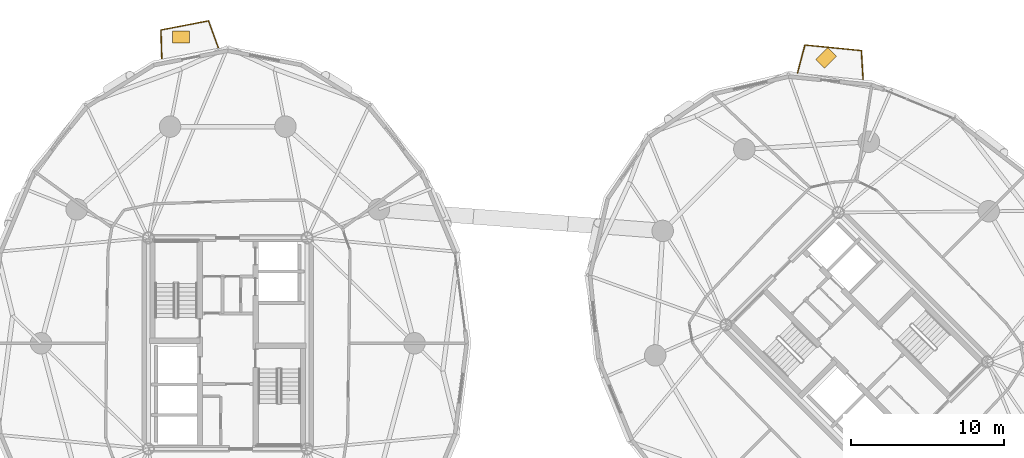
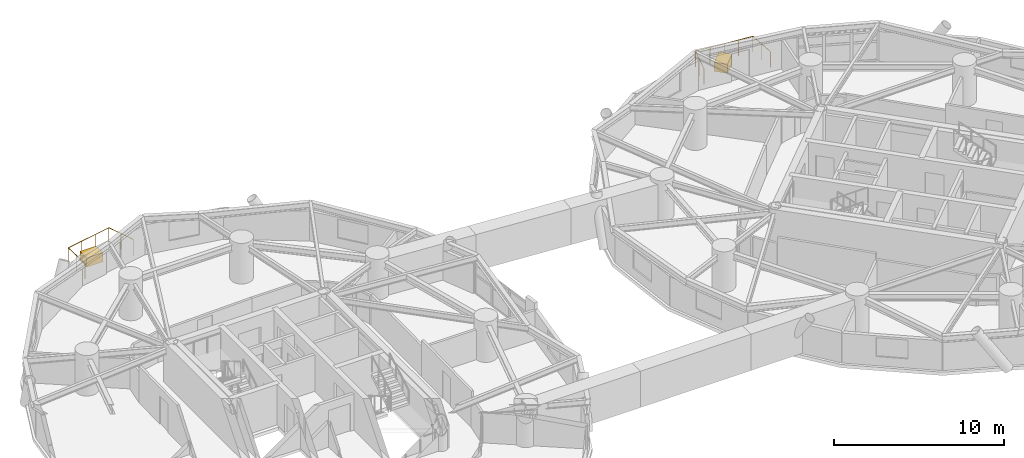
# One storey, part 18 of 18: 2 coverings, 2 railings.
"""IFC4 building model written with IfcOpenShell, lengths in metres."""

import ifcopenshell
import ifcopenshell.guid

model = None  # the IFC model being written
_history = None  # IfcOwnerHistory: only IFC2X3 demands one
_inside = {}  # id of a spatial element -> (the spatial element, [elements in it])
_under = {}  # id of a project, library or spatial element -> (it, [spatial elements below it])
_declared = {}  # id of a project -> (the project, [libraries it declares])
_typed = {}  # id of a type object -> (the type object, [elements of that type])
_made_of = {}  # id of a material, layer set ... -> (it, [elements and type objects made of it])


def new_model(schema):
    """Start an empty IFC model of exactly this schema.

    Asked for "IFC4X3", IfcOpenShell would pick the latest addendum, in which some entities
    have other attributes; the version numbers below select the first issue.
    IFC2X3 requires an IfcOwnerHistory on every rooted entity: one is made here for all.
    """
    global model, _history
    if schema == "IFC4X3":
        model = ifcopenshell.file(schema_version=(4, 3, 0, 0))
    else:
        model = ifcopenshell.file(schema=schema)
    _inside.clear()
    _under.clear()
    _declared.clear()
    _typed.clear()
    _made_of.clear()
    _history = None
    if model.schema == "IFC2X3":
        org = make("IfcOrganization", Name="unknown")
        user = make(
            "IfcPersonAndOrganization",
            ThePerson=make("IfcPerson", FamilyName="unknown"),
            TheOrganization=org,
        )
        app = make(
            "IfcApplication",
            ApplicationDeveloper=org,
            Version="unknown",
            ApplicationFullName="unknown",
            ApplicationIdentifier="unknown",
        )
        _history = make(
            "IfcOwnerHistory",
            OwningUser=user,
            OwningApplication=app,
            ChangeAction="ADDED",
            CreationDate=0,
        )
    return model


def make(cls, **values):
    """One entity of the class cls with the attributes given. An attribute that is None is left unset."""
    return model.create_entity(
        cls, **{name: value for name, value in values.items() if value is not None}
    )


def rooted(cls, **values):
    """An entity with a GlobalId (a new one), such as an element, a storey or a relation."""
    return make(cls, GlobalId=ifcopenshell.guid.new(), OwnerHistory=_history, **values)


def si_unit(unit_type, name, prefix=None):
    """IfcSIUnit, for example si_unit("LENGTHUNIT", "METRE", prefix="MILLI")."""
    return make("IfcSIUnit", UnitType=unit_type, Prefix=prefix, Name=name)


def assignment(units):
    """IfcUnitAssignment: the units of a project."""
    return None if units is None else make("IfcUnitAssignment", Units=units)


def point(xyz):
    """IfcCartesianPoint."""
    return None if xyz is None else make("IfcCartesianPoint", Coordinates=xyz)


def direction(xyz):
    """IfcDirection."""
    return None if xyz is None else make("IfcDirection", DirectionRatios=xyz)


def frame(location, z_axis=None, x_axis=None):
    """IfcAxis2Placement3D, a coordinate frame: its origin and axes. An axis left out is left unset."""
    return make(
        "IfcAxis2Placement3D",
        Location=point(location),
        Axis=direction(z_axis),
        RefDirection=direction(x_axis),
    )


def frame_2d(location, x_axis=None):
    """IfcAxis2Placement2D, a coordinate frame in the plane: its origin and x axis."""
    return make(
        "IfcAxis2Placement2D", Location=point(location), RefDirection=direction(x_axis)
    )


def origin():
    """The frame at (0, 0, 0) with its axes left unset."""
    return frame((0.0, 0.0, 0.0))


def origin_2d():
    """The frame at (0, 0) in the plane with its x axis left unset."""
    return frame_2d((0.0, 0.0))


def place(relative_to, where):
    """IfcLocalPlacement: puts the frame where relative to a parent placement (None: the world)."""
    return make(
        "IfcLocalPlacement", PlacementRelTo=relative_to, RelativePlacement=where
    )


def context(
    kind, dimensions, precision=None, world=None, true_north=None, identifier=None
):
    """IfcGeometricRepresentationContext, for example the 3D "Model" context."""
    return make(
        "IfcGeometricRepresentationContext",
        ContextIdentifier=identifier,
        ContextType=kind,
        CoordinateSpaceDimension=dimensions,
        Precision=precision,
        WorldCoordinateSystem=world,
        TrueNorth=true_north,
    )


def subcontext(parent, identifier, kind, view, scale=None):
    """IfcGeometricRepresentationSubContext, for example "Body" below "Model"."""
    return make(
        "IfcGeometricRepresentationSubContext",
        ContextIdentifier=identifier,
        ContextType=kind,
        ParentContext=parent,
        TargetScale=scale,
        TargetView=view,
    )


def project(units=None, contexts=None):
    """IfcProject with its units and contexts."""
    return rooted(
        "IfcProject",
        Name="project",
        RepresentationContexts=contexts,
        UnitsInContext=assignment(units),
    )


def spatial(cls, under=None, at=None, **own):
    """A site, building, storey or space (cls), placed at a placement, below another one or the project."""
    s = rooted(cls, ObjectPlacement=at, **own)
    if under is not None:
        _under.setdefault(under.id(), (under, []))[1].append(s)
    return s


def profile(cls, at=None, kind="AREA", **sizes):
    """A parametric profile (cls). Its sizes go by their IFC names, for example OverallWidth=200.0."""
    return make(cls, ProfileType=kind, Position=at, **sizes)


def rectangle(**sizes):
    """IfcRectangleProfileDef."""
    return profile("IfcRectangleProfileDef", **sizes)


def circle(**sizes):
    """IfcCircleProfileDef."""
    return profile("IfcCircleProfileDef", **sizes)


def extrude(swept, where, along, depth):
    """IfcExtrudedAreaSolid: the profile swept, set in the frame where, extruded along a direction by depth."""
    return make(
        "IfcExtrudedAreaSolid",
        SweptArea=swept,
        Position=where,
        ExtrudedDirection=direction(along),
        Depth=depth,
    )


def shape(context_of_items, identifier, shape_type, items):
    """IfcShapeRepresentation: the items that make up one representation, for example the "Body"."""
    return make(
        "IfcShapeRepresentation",
        ContextOfItems=context_of_items,
        RepresentationIdentifier=identifier,
        RepresentationType=shape_type,
        Items=items,
    )


def source(mapping_origin, context_of_items, identifier, shape_type, items):
    """IfcRepresentationMap: a shape defined once, which mapped items show again and again."""
    return make(
        "IfcRepresentationMap",
        MappingOrigin=mapping_origin,
        MappedRepresentation=shape(context_of_items, identifier, shape_type, items),
    )


def transform(
    local_origin,
    x_axis=None,
    y_axis=None,
    z_axis=None,
    scale=None,
    scale2=None,
    scale3=None,
    uniform=True,
):
    """IfcCartesianTransformationOperator3D, or its non-uniform kind. x_axis, y_axis, z_axis: its Axis1, 2, 3."""
    if uniform:
        return make(
            "IfcCartesianTransformationOperator3D",
            Axis1=direction(x_axis),
            Axis2=direction(y_axis),
            LocalOrigin=point(local_origin),
            Scale=scale,
            Axis3=direction(z_axis),
        )
    return make(
        "IfcCartesianTransformationOperator3DnonUniform",
        Axis1=direction(x_axis),
        Axis2=direction(y_axis),
        LocalOrigin=point(local_origin),
        Scale=scale,
        Axis3=direction(z_axis),
        Scale2=scale2,
        Scale3=scale3,
    )


def mapped(mapping_source, mapping_target):
    """IfcMappedItem: shows the shape of a source again, moved by a transform."""
    return make(
        "IfcMappedItem", MappingSource=mapping_source, MappingTarget=mapping_target
    )


def material(Name=None, Category=None):
    """IfcMaterial."""
    return make("IfcMaterial", Name=Name, Category=Category)


def layer(
    of_material, thickness, ventilated=None, Name=None, Category=None, Priority=None
):
    """IfcMaterialLayer: one layer of a wall or slab, of a material (None: an air gap)."""
    return make(
        "IfcMaterialLayer",
        Material=of_material,
        LayerThickness=thickness,
        IsVentilated=ventilated,
        Name=Name,
        Category=Category,
        Priority=Priority,
    )


def layer_set(layers, Name=None):
    """IfcMaterialLayerSet."""
    return make("IfcMaterialLayerSet", MaterialLayers=layers, LayerSetName=Name)


def made_of(thing, what):
    """Note that an element or type object is made of a material, layer set ...; save() writes the relation."""
    if what is not None:
        _made_of.setdefault(what.id(), (what, []))[1].append(thing)
    return thing


def type_object(cls, material=None, **own):
    """A type object (cls), such as IfcWallType, which elements share."""
    return made_of(rooted(cls, **own), material)


def element(
    cls,
    number,
    at=None,
    inside=None,
    cuts=None,
    type_object=None,
    material=None,
    context=None,
    identifier="Body",
    shape_type=None,
    held_by="IfcProductDefinitionShape",
    body=None,
    shapes=None,
    **own,
):
    """One element of the class cls, such as IfcWall. Its Tag is "e" and its number.

    at: its placement. inside: the storey or other place that contains it. cuts: it is an
    opening in that element (IfcRelVoidsElement). A single representation is given by context,
    identifier, shape_type and body (its items); several are given by shapes. held_by: the class
    of the entity that holds the representations. save() writes the other relations.
    """
    e = rooted(cls, Tag="e%d" % number, ObjectPlacement=at, **own)
    if body is not None:
        shapes = [shape(context, identifier, shape_type, body)]
    if shapes is not None:
        e.Representation = make(held_by, Representations=shapes)
    if inside is not None:
        _inside.setdefault(inside.id(), (inside, []))[1].append(e)
    if cuts is not None:
        rooted(
            "IfcRelVoidsElement", RelatingBuildingElement=cuts, RelatedOpeningElement=e
        )
    if type_object is not None:
        _typed.setdefault(type_object.id(), (type_object, []))[1].append(e)
    return made_of(e, material)


def aggregate(whole, parts):
    """IfcRelAggregates: a whole, such as a stair, and the parts it consists of."""
    return rooted("IfcRelAggregates", RelatingObject=whole, RelatedObjects=parts)


def save(model, path):
    """Write the relations noted so far, then the file.

    IfcRelAggregates (storeys below a building ...), IfcRelContainedInSpatialStructure (elements
    in a storey), IfcRelDefinesByType, IfcRelAssociatesMaterial and IfcRelDeclares: one each for
    every whole, place, type object, material and project.
    """
    for whole, parts in _under.values():
        aggregate(whole, parts)
    for where, things in _inside.values():
        rooted(
            "IfcRelContainedInSpatialStructure",
            RelatedElements=things,
            RelatingStructure=where,
        )
    for kind, things in _typed.values():
        rooted("IfcRelDefinesByType", RelatedObjects=things, RelatingType=kind)
    for what, things in _made_of.values():
        rooted("IfcRelAssociatesMaterial", RelatedObjects=things, RelatingMaterial=what)
    for by, libraries in _declared.values():
        rooted("IfcRelDeclares", RelatingContext=by, RelatedDefinitions=libraries)
    model.write(path)


model = new_model("IFC4")

# Units and contexts
model_context = context("Model", 3, precision=1e-05, world=origin(), true_north=direction((0.0, 1.0)))
body_context = subcontext(model_context, "Body", "Model", "MODEL_VIEW")
ifc_project = project(units=[si_unit("LENGTHUNIT", "METRE"), si_unit("AREAUNIT", "SQUARE_METRE"), si_unit("VOLUMEUNIT", "CUBIC_METRE"), si_unit("PLANEANGLEUNIT", "RADIAN"), si_unit("MASSUNIT", "GRAM", prefix="KILO")], contexts=[model_context])

# Site, building, storey
site_placement = place(None, origin())
site = spatial("IfcSite", under=ifc_project, at=site_placement, CompositionType="ELEMENT")
building_placement = place(site_placement, origin())
building = spatial("IfcBuilding", under=site, at=building_placement, Name="Cununo Teusaquillo Station Towers", CompositionType="ELEMENT")
storey_placement = place(building_placement, frame((0.0, 0.0, 122.530029296875)))
storey = spatial("IfcBuildingStorey", under=building, at=storey_placement, Name="L39", CompositionType="ELEMENT", Elevation=122.530029296875)

# Railings
ifc_material_1 = material(Name="Anodised dark bronze aluminium EN AW-6063-T6", Category="aluminium")
railing_type = type_object("IfcRailingType", Name="RL-EXT-GUARD", PredefinedType="GUARDRAIL", material=ifc_material_1)
railing_1_placement = place(storey_placement, frame((12.20166015625, 43.060546875, 0.0)))
element("IfcRailing", 1, at=railing_1_placement, inside=storey, type_object=railing_type, Name="L39 Tower A Balcony Guardrail C05", PredefinedType="GUARDRAIL", context=body_context, shape_type="SweptSolid", body=[
    extrude(circle(Radius=0.02392578125, at=origin_2d()), frame((0.0, 0.0, 1.1259765625), z_axis=(-0.030662031384, 0.999529809376, 0.0), x_axis=(-0.999529809376, -0.030662031384, 0.0)), (0.0, 0.0, 1.0), 1.86328125),
    extrude(circle(Radius=0.02392578125, at=origin_2d()), frame((-0.05712890625, 1.8623046875, 1.1259765625), z_axis=(0.981834317938, 0.189740275429, 0.0), x_axis=(-0.189740275429, 0.981834317938, 0.0)), (0.0, 0.0, 1.0), 3.15380859375),
    extrude(circle(Radius=0.02392578125, at=origin_2d()), frame((3.039306640625, 2.460693359375, 1.1259765625), z_axis=(0.343962021681, -0.9389835609, 0.0), x_axis=(0.9389835609, 0.343962021681, 0.0)), (0.0, 0.0, 1.0), 1.86328125),
    extrude(circle(Radius=0.02099609375, at=origin_2d()), origin(), (0.0, 0.0, 1.0), 1.101806640625),
    extrude(circle(Radius=0.02099609375, at=origin_2d()), frame((-0.028564453125, 0.93115234375, 0.0)), (0.0, 0.0, 1.0), 1.101806640625),
    extrude(circle(Radius=0.02099609375, at=origin_2d()), frame((-0.05712890625, 1.8623046875, 0.0)), (0.0, 0.0, 1.0), 1.101806640625),
    extrude(circle(Radius=0.02099609375, at=origin_2d()), frame((0.97509765625, 2.061767578125, 0.0)), (0.0, 0.0, 1.0), 1.101806640625),
    extrude(circle(Radius=0.02099609375, at=origin_2d()), frame((2.007080078125, 2.26123046875, 0.0)), (0.0, 0.0, 1.0), 1.101806640625),
    extrude(circle(Radius=0.02099609375, at=origin_2d()), frame((3.039306640625, 2.460693359375, 0.0)), (0.0, 0.0, 1.0), 1.101806640625),
    extrude(circle(Radius=0.02099609375, at=origin_2d()), frame((3.35986328125, 1.5859375, 0.0)), (0.0, 0.0, 1.0), 1.101806640625),
    extrude(circle(Radius=0.02099609375, at=origin_2d()), frame((3.68017578125, 0.711181640625, 0.0)), (0.0, 0.0, 1.0), 1.101806640625),
])
railing_2_placement = place(storey_placement, frame((53.64697265625, 42.13671875, 0.0)))
element("IfcRailing", 2, at=railing_2_placement, inside=storey, type_object=railing_type, Name="L39 Tower B Balcony Guardrail C02", PredefinedType="GUARDRAIL", context=body_context, shape_type="SweptSolid", body=[
    extrude(circle(Radius=0.02392578125, at=origin_2d()), frame((0.0, 0.0, 1.1259765625), z_axis=(0.255835186295, 0.966720413281, 0.0), x_axis=(-0.966720413281, 0.255835186295, 0.0)), (0.0, 0.0, 1.0), 1.871337890625),
    extrude(circle(Radius=0.02392578125, at=origin_2d()), frame((0.478759765625, 1.80908203125, 1.1259765625), z_axis=(0.99512777892, -0.098593628704, 0.0), x_axis=(0.098593628704, 0.99512777892, 0.0)), (0.0, 0.0, 1.0), 3.692138671875),
    extrude(circle(Radius=0.02392578125, at=origin_2d()), frame((4.15283203125, 1.445068359375, 1.1259765625), z_axis=(0.061184331575, -0.998126483753, 0.0), x_axis=(0.998126483753, 0.061184331575, 0.0)), (0.0, 0.0, 1.0), 1.871337890625),
    extrude(circle(Radius=0.02099609375, at=origin_2d()), origin(), (0.0, 0.0, 1.0), 1.101806640625),
    extrude(circle(Radius=0.02099609375, at=origin_2d()), frame((0.2392578125, 0.904541015625, 0.0)), (0.0, 0.0, 1.0), 1.101806640625),
    extrude(circle(Radius=0.02099609375, at=origin_2d()), frame((0.478759765625, 1.80908203125, 0.0)), (0.0, 0.0, 1.0), 1.101806640625),
    extrude(circle(Radius=0.02099609375, at=origin_2d()), frame((1.397216796875, 1.718017578125, 0.0)), (0.0, 0.0, 1.0), 1.101806640625),
    extrude(circle(Radius=0.02099609375, at=origin_2d()), frame((2.31591796875, 1.626953125, 0.0)), (0.0, 0.0, 1.0), 1.101806640625),
    extrude(circle(Radius=0.02099609375, at=origin_2d()), frame((3.234375, 1.5361328125, 0.0)), (0.0, 0.0, 1.0), 1.101806640625),
    extrude(circle(Radius=0.02099609375, at=origin_2d()), frame((4.15283203125, 1.445068359375, 0.0)), (0.0, 0.0, 1.0), 1.101806640625),
    extrude(circle(Radius=0.02099609375, at=origin_2d()), frame((4.2099609375, 0.51123046875, 0.0)), (0.0, 0.0, 1.0), 1.101806640625),
    extrude(circle(Radius=0.02099609375, at=origin_2d()), frame((4.267333984375, -0.4228515625, 0.0)), (0.0, 0.0, 1.0), 1.101806640625),
])

# Coverings
ifc_material_2 = material(Name="Architectural GRC planter shell and engineered root-zone substrate", Category="concrete")
ifc_layer = layer(ifc_material_2, 0.64990234375)
ifc_layer_set = layer_set([ifc_layer], Name="Architectural GRC planter shell and engineered root-zone substrate")
covering_type = type_object("IfcCoveringType", Name="COV-TREE-PLANTER", PredefinedType="CLADDING", material=ifc_layer_set)
shared_shape = source(origin(), body_context, "Body", "SweptSolid", [
    extrude(rectangle(XDim=1.10009765625, YDim=0.800048828125, at=origin_2d()), origin(), (0.0, 0.0, 1.0), 0.64990234375),
])
for number, where, z_axis, x_axis, name in (
    (3, (13.4462890625, 44.468505859375, 0.0), (0.0, 0.0, 1.0), (1.0, 0.0, 0.0), "L39 Tower A Balcony Tree PLANTER C05"),
    (4, (55.510986328125, 43.107666015625, 0.0), (0.0, 0.0, 1.0), (0.707106781187, 0.707106781187, 0.0), "L39 Tower B Balcony Tree PLANTER C02"),
):
    element("IfcCovering", number, at=place(storey_placement, frame(where, z_axis=z_axis, x_axis=x_axis)), inside=storey, type_object=covering_type, Name=name, PredefinedType="CLADDING", context=body_context, shape_type="MappedRepresentation", body=[
        mapped(shared_shape, transform((0.0, 0.0, 0.0), x_axis=(1.0, 0.0, 0.0), y_axis=(0.0, 1.0, 0.0), z_axis=(0.0, 0.0, 1.0), scale=1.0)),
    ])

save(model, "model.ifc")
